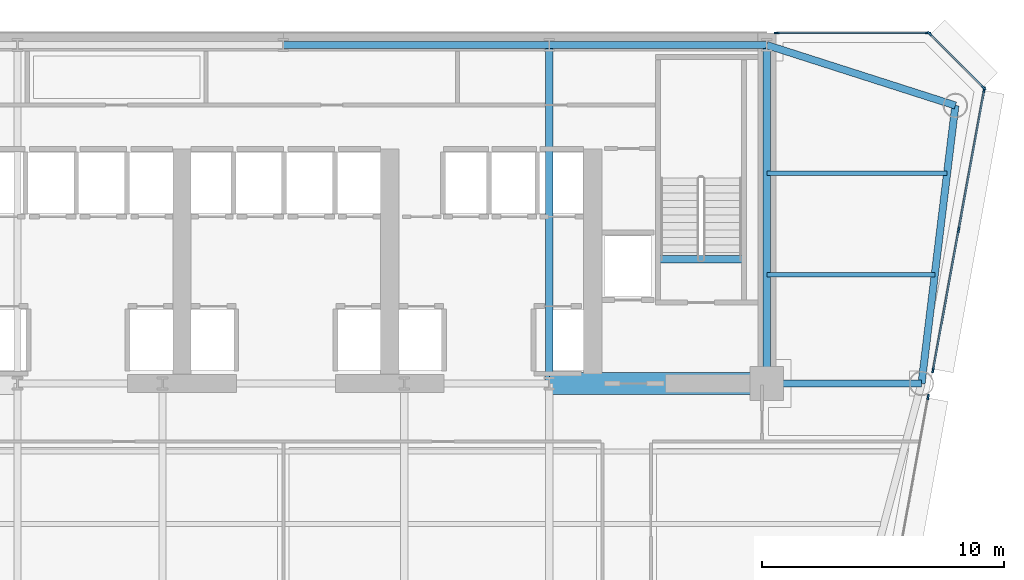
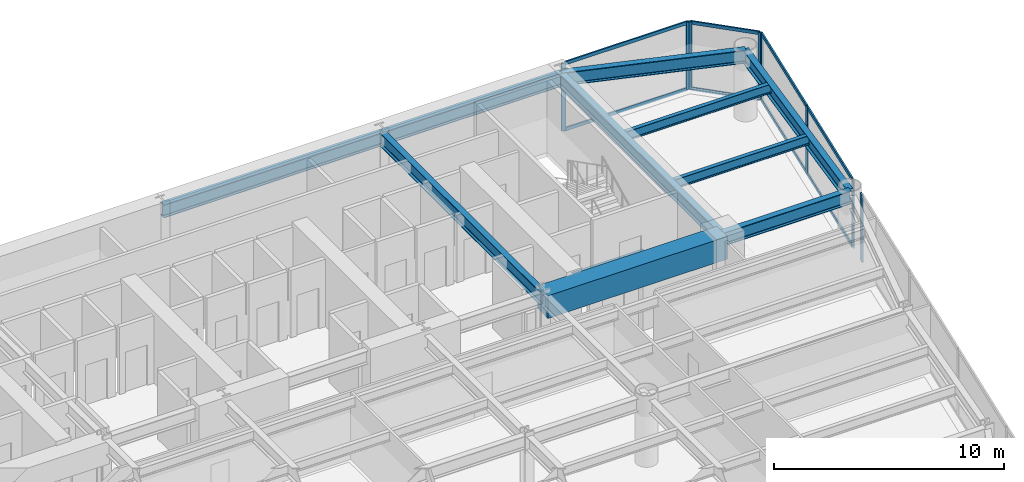
# One storey, part 6 of 14: 16 members, 11 beams, 4 elements without a shape of their own.
"""IFC4 building model written with IfcOpenShell, lengths in metres."""

from ifc_helpers import new_model, si_unit, direction, frame, origin, origin_2d, place, context, subcontext, project, spatial, rectangle, i_section, extrude, source, transform, mapped, material, layer, layer_set, material_profile, profile_set, type_object, element, aggregate, save


model = new_model("IFC4")

# Units and contexts
model_context = context("Model", 3, precision=1e-05, world=origin(), true_north=direction((0.0, 1.0)))
body_context = subcontext(model_context, "Body", "Model", "MODEL_VIEW")
ifc_project = project(units=[si_unit("LENGTHUNIT", "METRE"), si_unit("AREAUNIT", "SQUARE_METRE"), si_unit("VOLUMEUNIT", "CUBIC_METRE"), si_unit("PLANEANGLEUNIT", "RADIAN"), si_unit("MASSUNIT", "GRAM", prefix="KILO")], contexts=[model_context])

# Site, building, storey
site_placement = place(None, origin())
site = spatial("IfcSite", under=ifc_project, at=site_placement, CompositionType="ELEMENT")
building_placement = place(site_placement, origin())
building = spatial("IfcBuilding", under=site, at=building_placement, Name="Vaeldorn Concourse Tower", CompositionType="ELEMENT")
storey_placement = place(building_placement, frame((0.0, 0.0, 99.60009765625)))
storey = spatial("IfcBuildingStorey", under=building, at=storey_placement, Name="L25", CompositionType="ELEMENT", Elevation=99.60009765625)

# Beams
ifc_material_1 = material(Name="Concrete C60/75", Category="concrete")
ifc_material_profile_1 = material_profile(ifc_material_1, rectangle(XDim=0.89990234375, YDim=1.199951171875, at=origin_2d()), Name="RC 900x1200")
ifc_profile_set_1 = profile_set([ifc_material_profile_1], Name="Concrete C60/75")
beam_type_1 = type_object("IfcBeamType", Name="BM-CB-RC900", PredefinedType="BEAM", material=ifc_profile_set_1)
shared_shape_1 = source(origin(), body_context, "Body", "SweptSolid", [
    extrude(rectangle(XDim=0.89990234375, YDim=1.199951171875, at=origin_2d()), origin(), (0.0, 0.0, 1.0), 9.0),
])
beam_1_placement = place(storey_placement, frame((45.0, 36.5, 2.97998046875), z_axis=(1.0, 0.0, 0.0), x_axis=(0.0, 1.0, 0.0)))
element("IfcBeam", 1, at=beam_1_placement, inside=storey, type_object=beam_type_1, Name="Core Coupling Beam L25-2", PredefinedType="BEAM", context=body_context, shape_type="MappedRepresentation", body=[
    mapped(shared_shape_1, transform((0.0, 0.0, 0.0), scale=1.0)),
])
ifc_material_2 = material(Name="Steel S355", Category="steel")
ifc_material_profile_2 = material_profile(ifc_material_2, i_section(OverallWidth=0.300048828125, OverallDepth=0.340087890625, WebThickness=0.011962890625, FlangeThickness=0.021484375, FilletRadius=0.027099609375, at=origin_2d()), Name="HEB 340")
ifc_profile_set_2 = profile_set([ifc_material_profile_2], Name="Steel S355")
beam_type_2 = type_object("IfcBeamType", Name="BM-ST-TRIM", PredefinedType="BEAM", material=ifc_profile_set_2)
shared_shape_2 = source(origin(), body_context, "Body", "SweptSolid", [
    extrude(i_section(OverallWidth=0.300048828125, OverallDepth=0.340087890625, WebThickness=0.011962890625, FlangeThickness=0.021484375, FilletRadius=0.027099609375, at=origin_2d()), origin(), (0.0, 0.0, 1.0), 3.590087890625),
])
beam_2_placement = place(storey_placement, frame((49.47998046875, 41.639892578125, -0.39013671875), z_axis=(1.0, 0.0, 0.0), x_axis=(0.0, 1.0, 0.0)))
element("IfcBeam", 2, at=beam_2_placement, inside=storey, type_object=beam_type_2, Name="Stair Landing Trimmer Beam ST-2 L25", PredefinedType="BEAM", context=body_context, shape_type="MappedRepresentation", body=[
    mapped(shared_shape_2, transform((0.0, 0.0, 0.0), scale=1.0)),
])
ifc_material_profile_3 = material_profile(ifc_material_2, i_section(OverallWidth=0.199951171875, OverallDepth=0.5, WebThickness=0.01025390625, FlangeThickness=0.01611328125, FilletRadius=0.02099609375, at=origin_2d()), Name="IPE 500")
ifc_profile_set_3 = profile_set([ifc_material_profile_3], Name="Steel S355")
beam_type_3 = type_object("IfcBeamType", Name="BM-JS-IPE500", PredefinedType="JOIST", material=ifc_profile_set_3)
shared_shape_3 = source(origin(), body_context, "Body", "SweptSolid", [
    extrude(i_section(OverallWidth=0.199951171875, OverallDepth=0.5, WebThickness=0.01025390625, FlangeThickness=0.01611328125, FilletRadius=0.02099609375, at=origin_2d()), origin(), (0.0, 0.0, 1.0), 6.94775390625),
])
beam_3_placement = place(storey_placement, frame((54.0, 41.0, 3.329833984375), z_axis=(1.0, 0.0, 0.0), x_axis=(0.0, 1.0, 0.0)))
element("IfcBeam", 3, at=beam_3_placement, inside=storey, type_object=beam_type_3, Name="Beam JS-L25-NE-410", PredefinedType="JOIST", context=body_context, shape_type="MappedRepresentation", body=[
    mapped(shared_shape_3, transform((0.0, 0.0, 0.0), scale=1.0)),
])
shared_shape_4 = source(origin(), body_context, "Body", "SweptSolid", [
    extrude(i_section(OverallWidth=0.199951171875, OverallDepth=0.5, WebThickness=0.01025390625, FlangeThickness=0.01611328125, FilletRadius=0.02099609375, at=origin_2d()), origin(), (0.0, 0.0, 1.0), 7.458984375),
])
beam_4_placement = place(storey_placement, frame((54.0, 45.199951171875, 3.329833984375), z_axis=(1.0, 0.0, 0.0), x_axis=(0.0, 1.0, 0.0)))
element("IfcBeam", 4, at=beam_4_placement, inside=storey, type_object=beam_type_3, Name="Beam JS-L25-NE-452", PredefinedType="JOIST", context=body_context, shape_type="MappedRepresentation", body=[
    mapped(shared_shape_4, transform((0.0, 0.0, 0.0), scale=1.0)),
])
ifc_material_profile_4 = material_profile(ifc_material_2, i_section(OverallWidth=0.300048828125, OverallDepth=0.699951171875, WebThickness=0.01708984375, FlangeThickness=0.031982421875, FilletRadius=0.027099609375, at=origin_2d()), Name="HEB 700")
ifc_profile_set_4 = profile_set([ifc_material_profile_4], Name="Steel S355")
beam_type_4 = type_object("IfcBeamType", Name="BM-PG-HEB700", PredefinedType="BEAM", material=ifc_profile_set_4)
shared_shape_5 = source(origin(), body_context, "Body", "SweptSolid", [
    extrude(i_section(OverallWidth=0.300048828125, OverallDepth=0.699951171875, WebThickness=0.01708984375, FlangeThickness=0.031982421875, FilletRadius=0.027099609375, at=origin_2d()), origin(), (0.0, 0.0, 1.0), 9.0),
])
beam_5_placement = place(storey_placement, frame((45.0, 50.5, 3.22998046875), z_axis=(1.0, 0.0, 0.0), x_axis=(0.0, 1.0, 0.0)))
element("IfcBeam", 5, at=beam_5_placement, inside=storey, type_object=beam_type_4, Name="Beam BM-L25-C-HC4-C-HC5", PredefinedType="BEAM", context=body_context, shape_type="MappedRepresentation", body=[
    mapped(shared_shape_5, transform((0.0, 0.0, 0.0), scale=1.0)),
])
shared_shape_6 = source(origin(), body_context, "Body", "SweptSolid", [
    extrude(i_section(OverallWidth=0.300048828125, OverallDepth=0.699951171875, WebThickness=0.01708984375, FlangeThickness=0.031982421875, FilletRadius=0.027099609375, at=origin_2d()), origin(), (0.0, 0.0, 1.0), 11.0),
])
beam_6_placement = place(storey_placement, frame((34.0, 50.5, 3.22998046875), z_axis=(1.0, 0.0, 0.0), x_axis=(0.0, 1.0, 0.0)))
element("IfcBeam", 6, at=beam_6_placement, inside=storey, type_object=beam_type_4, Name="Beam BM-L25-C-HC3-C-HC4", PredefinedType="BEAM", context=body_context, shape_type="MappedRepresentation", body=[
    mapped(shared_shape_6, transform((0.0, 0.0, 0.0), scale=1.0)),
])
shared_shape_7 = source(origin(), body_context, "Body", "SweptSolid", [
    extrude(i_section(OverallWidth=0.300048828125, OverallDepth=0.699951171875, WebThickness=0.01708984375, FlangeThickness=0.031982421875, FilletRadius=0.027099609375, at=origin_2d()), origin(), (0.0, 0.0, 1.0), 14.0),
])
for number, where, z_axis, x_axis, name in (
    (7, (45.0, 36.5, 3.22998046875), (0.0, 1.0, 0.0), (-1.0, 0.0, 0.0), "Beam BM-L25-C-FC5-C-HC4"),
    (8, (54.0, 36.5, 3.22998046875), (0.0, 1.0, 0.0), (-1.0, 0.0, 0.0), "Beam BM-L25-C-FC6-C-HC5"),
):
    element("IfcBeam", number, at=place(storey_placement, frame(where, z_axis=z_axis, x_axis=x_axis)), inside=storey, type_object=beam_type_4, Name=name, PredefinedType="BEAM", context=body_context, shape_type="MappedRepresentation", body=[
        mapped(shared_shape_7, transform((0.0, 0.0, 0.0), scale=1.0)),
    ])
shared_shape_8 = source(origin(), body_context, "Body", "SweptSolid", [
    extrude(i_section(OverallWidth=0.300048828125, OverallDepth=0.699951171875, WebThickness=0.01708984375, FlangeThickness=0.031982421875, FilletRadius=0.027099609375, at=origin_2d()), origin(), (0.0, 0.0, 1.0), 8.19091796875),
])
beam_7_placement = place(storey_placement, frame((54.0, 50.5, 3.22998046875), z_axis=(0.952282843383, -0.305216949396, 0.0), x_axis=(0.305216949396, 0.952282843383, 0.0)))
element("IfcBeam", 9, at=beam_7_placement, inside=storey, type_object=beam_type_4, Name="Beam BM-L25-C-HC5-C-NE1", PredefinedType="BEAM", context=body_context, shape_type="MappedRepresentation", body=[
    mapped(shared_shape_8, transform((0.0, 0.0, 0.0), scale=1.0)),
])
shared_shape_9 = source(origin(), body_context, "Body", "SweptSolid", [
    extrude(i_section(OverallWidth=0.300048828125, OverallDepth=0.699951171875, WebThickness=0.01708984375, FlangeThickness=0.031982421875, FilletRadius=0.027099609375, at=origin_2d()), origin(), (0.0, 0.0, 1.0), 11.5849609375),
])
beam_8_placement = place(storey_placement, frame((61.800048828125, 48.0, 3.22998046875), z_axis=(-0.120859382899, -0.992669637677, 0.0), x_axis=(0.992669637677, -0.120859382899, 0.0)))
element("IfcBeam", 10, at=beam_8_placement, inside=storey, type_object=beam_type_4, Name="Beam BM-L25-C-NE1-C-NE2", PredefinedType="BEAM", context=body_context, shape_type="MappedRepresentation", body=[
    mapped(shared_shape_9, transform((0.0, 0.0, 0.0), scale=1.0)),
])
shared_shape_10 = source(origin(), body_context, "Body", "SweptSolid", [
    extrude(i_section(OverallWidth=0.300048828125, OverallDepth=0.699951171875, WebThickness=0.01708984375, FlangeThickness=0.031982421875, FilletRadius=0.027099609375, at=origin_2d()), origin(), (0.0, 0.0, 1.0), 6.39990234375),
])
beam_9_placement = place(storey_placement, frame((54.0, 36.5, 3.22998046875), z_axis=(1.0, 0.0, 0.0), x_axis=(0.0, 1.0, 0.0)))
element("IfcBeam", 11, at=beam_9_placement, inside=storey, type_object=beam_type_4, Name="Beam BM-L25-C-FC6-C-NE2", PredefinedType="BEAM", context=body_context, shape_type="MappedRepresentation", body=[
    mapped(shared_shape_10, transform((0.0, 0.0, 0.0), scale=1.0)),
])

# Curtain wall, member
ifc_material_3 = material(Name="Anodised Bronze Aluminium", Category="aluminium")
ifc_layer = layer(ifc_material_3, 0.2099609375)
ifc_layer_set = layer_set([ifc_layer], Name="Anodised Bronze Aluminium")
curtain_wall_type = type_object("IfcCurtainWallType", Name="CW-SYS-06", PredefinedType="NOTDEFINED", material=ifc_layer_set)
curtain_wall_1_placement = place(storey_placement, origin())
curtain_wall_1 = element("IfcCurtainWall", 12, at=curtain_wall_1_placement, inside=storey, type_object=curtain_wall_type, Name="Unitised Curtain Wall CW-L25-E07-1", PredefinedType="NOTDEFINED")
ifc_material_profile_5 = material_profile(ifc_material_3, rectangle(XDim=0.074951171875, YDim=0.219970703125, at=origin_2d()), Name="CWM 75x220")
ifc_profile_set_5 = profile_set([ifc_material_profile_5], Name="Anodised Bronze Aluminium")
member_type_1 = type_object("IfcMemberType", Name="CWM-BRONZE-220", PredefinedType="MULLION", material=ifc_profile_set_5)
shared_shape_11 = source(origin(), body_context, "Body", "SweptSolid", [
    extrude(rectangle(XDim=0.074951171875, YDim=0.219970703125, at=origin_2d()), origin(), (0.0, 0.0, 1.0), 3.579833984375),
])
member_1_placement = place(storey_placement, frame((60.673095703125, 35.945068359375, 0.0), z_axis=(0.0, 0.0, 1.0), x_axis=(-0.98376286924, 0.179473165416, 0.0)))
member_1 = element("IfcMember", 13, at=member_1_placement, type_object=member_type_1, Name="CW-06 mullion 6", PredefinedType="MULLION", context=body_context, shape_type="MappedRepresentation", body=[
    mapped(shared_shape_11, transform((0.0, 0.0, 0.0), scale=1.0)),
])
aggregate(curtain_wall_1, [member_1])

# Curtain wall, members
curtain_wall_2_placement = place(storey_placement, origin())
curtain_wall_2 = element("IfcCurtainWall", 14, at=curtain_wall_2_placement, inside=storey, type_object=curtain_wall_type, Name="Unitised Curtain Wall CW-L25-E07-2", PredefinedType="NOTDEFINED")
member_2_placement = place(storey_placement, frame((60.87548828125, 37.054931640625, 0.0), z_axis=(0.0, 0.0, 1.0), x_axis=(-0.983763021759, 0.179472329396, 0.0)))
member_2 = element("IfcMember", 15, at=member_2_placement, type_object=member_type_1, Name="CW-06 mullion 1", PredefinedType="MULLION", context=body_context, shape_type="MappedRepresentation", body=[
    mapped(shared_shape_11, transform((0.0, 0.0, 0.0), scale=1.0)),
])
member_3_placement = place(storey_placement, frame((61.934326171875, 42.85888671875, 0.0), z_axis=(0.0, 0.0, 1.0), x_axis=(-0.983763021759, 0.179472329396, 0.0)))
member_3 = element("IfcMember", 16, at=member_3_placement, type_object=member_type_1, Name="CW-06 mullion 2", PredefinedType="MULLION", context=body_context, shape_type="MappedRepresentation", body=[
    mapped(shared_shape_11, transform((0.0, 0.0, 0.0), scale=1.0)),
])
member_4_placement = place(storey_placement, frame((62.9931640625, 48.6630859375, 0.0), z_axis=(0.0, 0.0, 1.0), x_axis=(-0.983763021759, 0.179472329396, 0.0)))
member_4 = element("IfcMember", 17, at=member_4_placement, type_object=member_type_1, Name="CW-06 mullion 3", PredefinedType="MULLION", context=body_context, shape_type="MappedRepresentation", body=[
    mapped(shared_shape_11, transform((0.0, 0.0, 0.0), scale=1.0)),
])

curtain_wall_3_placement = place(storey_placement, origin())
curtain_wall_3 = element("IfcCurtainWall", 18, at=curtain_wall_3_placement, inside=storey, type_object=curtain_wall_type, Name="Unitised Curtain Wall CW-L25-E08-1", PredefinedType="NOTDEFINED")
member_5_placement = place(storey_placement, frame((62.973388671875, 48.7265625, 0.0), z_axis=(0.0, 0.0, 1.0), x_axis=(-0.707106781187, -0.707106781187, 0.0)))
member_5 = element("IfcMember", 19, at=member_5_placement, type_object=member_type_1, Name="CW-06 mullion 1", PredefinedType="MULLION", context=body_context, shape_type="MappedRepresentation", body=[
    mapped(shared_shape_11, transform((0.0, 0.0, 0.0), scale=1.0)),
])
member_6_placement = place(storey_placement, frame((60.7265625, 50.973388671875, 0.0), z_axis=(0.0, 0.0, 1.0), x_axis=(-0.707106781187, -0.707106781187, 0.0)))
member_6 = element("IfcMember", 20, at=member_6_placement, type_object=member_type_1, Name="CW-06 mullion 2", PredefinedType="MULLION", context=body_context, shape_type="MappedRepresentation", body=[
    mapped(shared_shape_11, transform((0.0, 0.0, 0.0), scale=1.0)),
])

curtain_wall_4_placement = place(storey_placement, origin())
curtain_wall_4 = element("IfcCurtainWall", 21, at=curtain_wall_4_placement, inside=storey, type_object=curtain_wall_type, Name="Unitised Curtain Wall CW-L25-E09-1", PredefinedType="NOTDEFINED")
member_7_placement = place(storey_placement, frame((60.66259765625, 51.0, 0.0), z_axis=(0.0, 0.0, 1.0), x_axis=(0.0, -1.0, 0.0)))
member_7 = element("IfcMember", 22, at=member_7_placement, type_object=member_type_1, Name="CW-06 mullion 1", PredefinedType="MULLION", context=body_context, shape_type="MappedRepresentation", body=[
    mapped(shared_shape_11, transform((0.0, 0.0, 0.0), scale=1.0)),
])
member_8_placement = place(storey_placement, frame((54.407470703125, 51.0, 0.0), z_axis=(0.0, 0.0, 1.0), x_axis=(0.0, -1.0, 0.0)))
member_8 = element("IfcMember", 23, at=member_8_placement, type_object=member_type_1, Name="CW-06 mullion 2", PredefinedType="MULLION", context=body_context, shape_type="MappedRepresentation", body=[
    mapped(shared_shape_11, transform((0.0, 0.0, 0.0), scale=1.0)),
])

# Member
ifc_material_profile_6 = material_profile(ifc_material_3, rectangle(XDim=0.074951171875, YDim=0.179931640625, at=origin_2d()), Name="CWT 75x180")
ifc_profile_set_6 = profile_set([ifc_material_profile_6], Name="Anodised Bronze Aluminium")
member_type_2 = type_object("IfcMemberType", Name="CWT-BRONZE-180", PredefinedType="USERDEFINED", material=ifc_profile_set_6)
shared_shape_12 = source(origin(), body_context, "Body", "SweptSolid", [
    extrude(rectangle(XDim=0.074951171875, YDim=0.179931640625, at=origin_2d()), origin(), (0.0, 0.0, 1.0), 3.10302734375),
])
member_9_placement = place(storey_placement, frame((62.947021484375, 48.7529296875, 0.037353515625), z_axis=(-0.707106781187, 0.707106781187, 0.0), x_axis=(-0.707106781187, -0.707106781187, 0.0)))
member_9 = element("IfcMember", 24, at=member_9_placement, type_object=member_type_2, Name="CW-06 transom 1.1", ObjectType="TRANSOM", PredefinedType="USERDEFINED", context=body_context, shape_type="MappedRepresentation", body=[
    mapped(shared_shape_12, transform((0.0, 0.0, 0.0), scale=1.0)),
])

member_10_placement = place(storey_placement, frame((62.947021484375, 48.7529296875, 3.54248046875), z_axis=(-0.707106781187, 0.707106781187, 0.0), x_axis=(-0.707106781187, -0.707106781187, 0.0)))
member_10 = element("IfcMember", 25, at=member_10_placement, type_object=member_type_2, Name="CW-06 transom 1.2", ObjectType="TRANSOM", PredefinedType="USERDEFINED", context=body_context, shape_type="MappedRepresentation", body=[
    mapped(shared_shape_12, transform((0.0, 0.0, 0.0), scale=1.0)),
])

aggregate(curtain_wall_3, [member_5, member_6, member_9, member_10])

shared_shape_13 = source(origin(), body_context, "Body", "SweptSolid", [
    extrude(rectangle(XDim=0.074951171875, YDim=0.179931640625, at=origin_2d()), origin(), (0.0, 0.0, 1.0), 6.179931640625),
])
member_11_placement = place(storey_placement, frame((60.625, 51.0, 0.037353515625), z_axis=(-1.0, 0.0, 0.0), x_axis=(0.0, -1.0, 0.0)))
member_11 = element("IfcMember", 26, at=member_11_placement, type_object=member_type_2, Name="CW-06 transom 1.1", ObjectType="TRANSOM", PredefinedType="USERDEFINED", context=body_context, shape_type="MappedRepresentation", body=[
    mapped(shared_shape_13, transform((0.0, 0.0, 0.0), scale=1.0)),
])

member_12_placement = place(storey_placement, frame((60.625, 51.0, 3.54248046875), z_axis=(-1.0, 0.0, 0.0), x_axis=(0.0, -1.0, 0.0)))
member_12 = element("IfcMember", 27, at=member_12_placement, type_object=member_type_2, Name="CW-06 transom 1.2", ObjectType="TRANSOM", PredefinedType="USERDEFINED", context=body_context, shape_type="MappedRepresentation", body=[
    mapped(shared_shape_13, transform((0.0, 0.0, 0.0), scale=1.0)),
])

aggregate(curtain_wall_4, [member_7, member_8, member_11, member_12])

shared_shape_14 = source(origin(), body_context, "Body", "SweptSolid", [
    extrude(rectangle(XDim=0.074951171875, YDim=0.179931640625, at=origin_2d()), origin(), (0.0, 0.0, 1.0), 5.82470703125),
])
member_13_placement = place(storey_placement, frame((60.88232421875, 37.091796875, 0.037353515625), z_axis=(0.179475554503, 0.983762433383, 0.0), x_axis=(-0.983762433383, 0.179475554503, 0.0)))
member_13 = element("IfcMember", 28, at=member_13_placement, type_object=member_type_2, Name="CW-06 transom 1.1", ObjectType="TRANSOM", PredefinedType="USERDEFINED", context=body_context, shape_type="MappedRepresentation", body=[
    mapped(shared_shape_14, transform((0.0, 0.0, 0.0), scale=1.0)),
])

member_14_placement = place(storey_placement, frame((60.88232421875, 37.091796875, 3.54248046875), z_axis=(0.179475554503, 0.983762433383, 0.0), x_axis=(-0.983762433383, 0.179475554503, 0.0)))
member_14 = element("IfcMember", 29, at=member_14_placement, type_object=member_type_2, Name="CW-06 transom 1.2", ObjectType="TRANSOM", PredefinedType="USERDEFINED", context=body_context, shape_type="MappedRepresentation", body=[
    mapped(shared_shape_14, transform((0.0, 0.0, 0.0), scale=1.0)),
])

member_15_placement = place(storey_placement, frame((61.941162109375, 42.89599609375, 0.037353515625), z_axis=(0.179475554503, 0.983762433383, 0.0), x_axis=(-0.983762433383, 0.179475554503, 0.0)))
member_15 = element("IfcMember", 30, at=member_15_placement, type_object=member_type_2, Name="CW-06 transom 2.1", ObjectType="TRANSOM", PredefinedType="USERDEFINED", context=body_context, shape_type="MappedRepresentation", body=[
    mapped(shared_shape_14, transform((0.0, 0.0, 0.0), scale=1.0)),
])

member_16_placement = place(storey_placement, frame((61.941162109375, 42.89599609375, 3.54248046875), z_axis=(0.179475554503, 0.983762433383, 0.0), x_axis=(-0.983762433383, 0.179475554503, 0.0)))
member_16 = element("IfcMember", 31, at=member_16_placement, type_object=member_type_2, Name="CW-06 transom 2.2", ObjectType="TRANSOM", PredefinedType="USERDEFINED", context=body_context, shape_type="MappedRepresentation", body=[
    mapped(shared_shape_14, transform((0.0, 0.0, 0.0), scale=1.0)),
])

aggregate(curtain_wall_2, [member_2, member_3, member_4, member_13, member_14, member_15, member_16])

save(model, "model.ifc")
